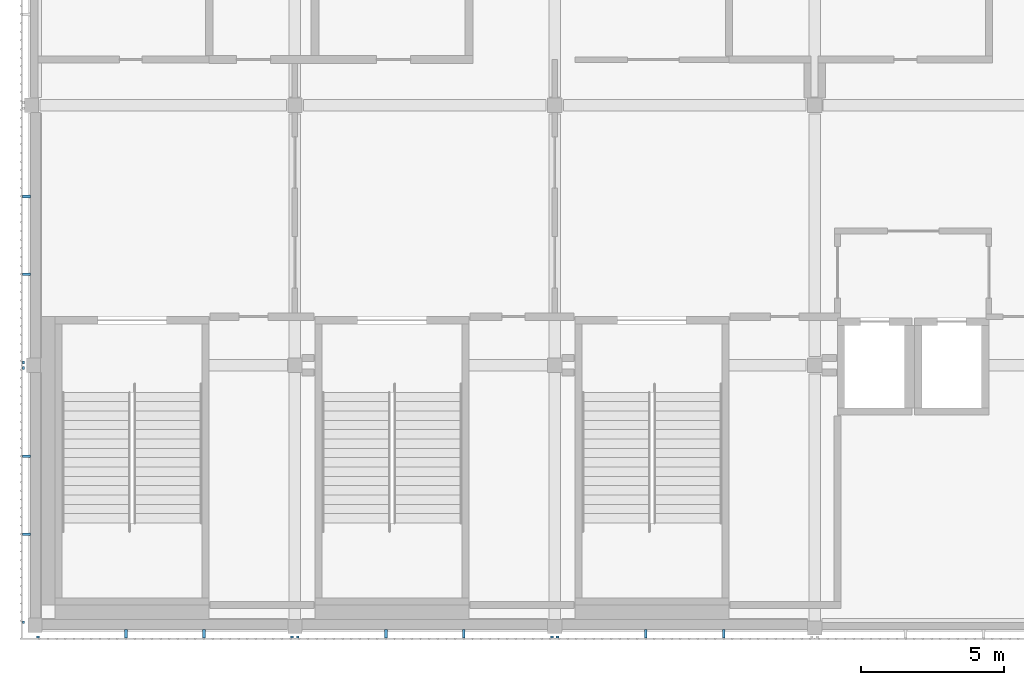
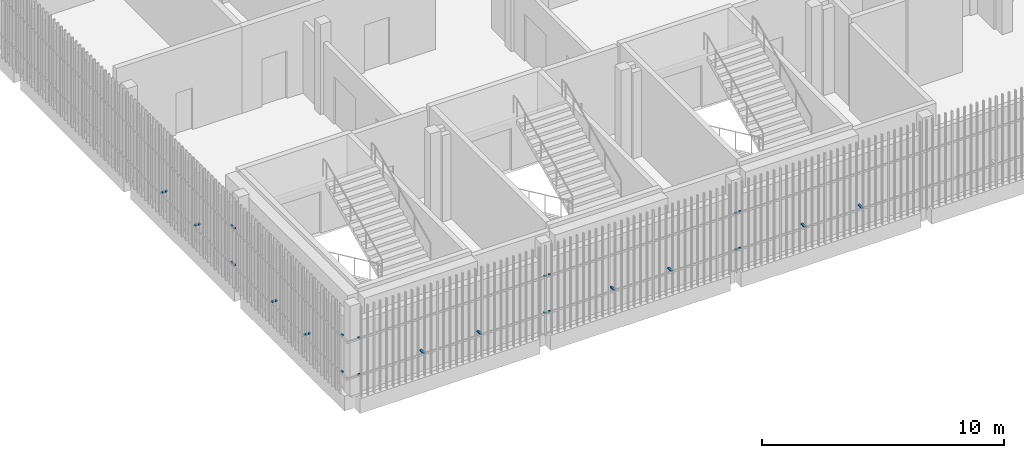
# One storey, part 60 of 91: 26 discrete accessories.
"""IFC4 building model written with IfcOpenShell, lengths in metres."""

from ifc_helpers import new_model, si_unit, direction, frame, origin, origin_2d, place, context, subcontext, project, spatial, rectangle, extrude, material, type_object, element, save


model = new_model("IFC4")

# Units and contexts
model_context = context("Model", 3, precision=1e-05, world=origin(), true_north=direction((0.0, 1.0)))
body_context = subcontext(model_context, "Body", "Model", "MODEL_VIEW")
ifc_project = project(units=[si_unit("LENGTHUNIT", "METRE"), si_unit("AREAUNIT", "SQUARE_METRE"), si_unit("VOLUMEUNIT", "CUBIC_METRE"), si_unit("PLANEANGLEUNIT", "RADIAN"), si_unit("MASSUNIT", "GRAM", prefix="KILO")], contexts=[model_context])

# Site, building, storey
site_placement = place(None, origin())
site = spatial("IfcSite", under=ifc_project, at=site_placement, CompositionType="ELEMENT")
building_placement = place(site_placement, origin())
building = spatial("IfcBuilding", under=site, at=building_placement, Name="Shirokan Park Arena", CompositionType="ELEMENT")
storey_placement = place(building_placement, frame((0.0, 0.0, 24.570068359375)))
storey = spatial("IfcBuildingStorey", under=building, at=storey_placement, Name="L05", CompositionType="ELEMENT", Elevation=24.570068359375)

# Discrete accessories
ifc_material = material(Name="Steel S355", Category="steel")
discrete_accessory_type = type_object("IfcDiscreteAccessoryType", Name="Veil bracket 100x60", PredefinedType="BRACKET", material=ifc_material)
for number, where, z_axis, x_axis, name in (
    (1, (0.10009765625, -0.409912109375, 1.06982421875), (0.0, 0.0, 1.0), (1.0, 0.0, 0.0), "Veil bracket south bay 1 L05 1"),
    (2, (9.0, -0.409912109375, 1.06982421875), (0.0, 0.0, 1.0), (1.0, 0.0, 0.0), "Veil bracket south bay 1 L05 2"),
    (3, (0.10009765625, -0.409912109375, 2.919921875), (0.0, 0.0, 1.0), (1.0, 0.0, 0.0), "Veil bracket south bay 1 L05 3"),
    (4, (9.0, -0.409912109375, 2.919921875), (0.0, 0.0, 1.0), (1.0, 0.0, 0.0), "Veil bracket south bay 1 L05 4"),
):
    element("IfcDiscreteAccessory", number, at=place(storey_placement, frame(where, z_axis=z_axis, x_axis=x_axis)), inside=storey, type_object=discrete_accessory_type, Name=name, PredefinedType="BRACKET", context=body_context, shape_type="SweptSolid", body=[
        extrude(rectangle(XDim=0.10009765625, YDim=0.070068359375, at=origin_2d()), origin(), (0.0, 0.0, 1.0), 0.06005859375),
    ])
for number, where, z_axis, x_axis, name in (
    (5, (3.18505859375, -0.297607421875, 1.06982421875), (0.0, 0.0, 1.0), (1.0, 0.0, 0.0), "Veil bracket south bay 1 L05 wall 1"),
    (6, (5.9150390625, -0.297607421875, 1.06982421875), (0.0, 0.0, 1.0), (1.0, 0.0, 0.0), "Veil bracket south bay 1 L05 wall 2"),
):
    element("IfcDiscreteAccessory", number, at=place(storey_placement, frame(where, z_axis=z_axis, x_axis=x_axis)), inside=storey, type_object=discrete_accessory_type, Name=name, PredefinedType="BRACKET", context=body_context, shape_type="SweptSolid", body=[
        extrude(rectangle(XDim=0.10009765625, YDim=0.294921875, at=origin_2d()), origin(), (0.0, 0.0, 1.0), 0.06005859375),
    ])
for number, where, z_axis, x_axis, name in (
    (7, (9.199951171875, -0.409912109375, 1.06982421875), (0.0, 0.0, 1.0), (1.0, 0.0, 0.0), "Veil bracket south bay 2 L05 1"),
    (8, (18.10009765625, -0.409912109375, 1.06982421875), (0.0, 0.0, 1.0), (1.0, 0.0, 0.0), "Veil bracket south bay 2 L05 2"),
    (9, (9.199951171875, -0.409912109375, 2.919921875), (0.0, 0.0, 1.0), (1.0, 0.0, 0.0), "Veil bracket south bay 2 L05 3"),
    (10, (18.10009765625, -0.409912109375, 2.919921875), (0.0, 0.0, 1.0), (1.0, 0.0, 0.0), "Veil bracket south bay 2 L05 4"),
):
    element("IfcDiscreteAccessory", number, at=place(storey_placement, frame(where, z_axis=z_axis, x_axis=x_axis)), inside=storey, type_object=discrete_accessory_type, Name=name, PredefinedType="BRACKET", context=body_context, shape_type="SweptSolid", body=[
        extrude(rectangle(XDim=0.10009765625, YDim=0.070068359375, at=origin_2d()), origin(), (0.0, 0.0, 1.0), 0.06005859375),
    ])
for number, where, z_axis, x_axis, name in (
    (11, (12.284912109375, -0.297607421875, 1.06982421875), (0.0, 0.0, 1.0), (1.0, 0.0, 0.0), "Veil bracket south bay 2 L05 wall 1"),
    (12, (15.014892578125, -0.297607421875, 1.06982421875), (0.0, 0.0, 1.0), (1.0, 0.0, 0.0), "Veil bracket south bay 2 L05 wall 2"),
):
    element("IfcDiscreteAccessory", number, at=place(storey_placement, frame(where, z_axis=z_axis, x_axis=x_axis)), inside=storey, type_object=discrete_accessory_type, Name=name, PredefinedType="BRACKET", context=body_context, shape_type="SweptSolid", body=[
        extrude(rectangle(XDim=0.10009765625, YDim=0.294921875, at=origin_2d()), origin(), (0.0, 0.0, 1.0), 0.06005859375),
    ])
for number, where, z_axis, x_axis, name in (
    (13, (18.300048828125, -0.409912109375, 1.06982421875), (0.0, 0.0, 1.0), (1.0, 0.0, 0.0), "Veil bracket south bay 3 L05 1"),
    (14, (18.300048828125, -0.409912109375, 2.919921875), (0.0, 0.0, 1.0), (1.0, 0.0, 0.0), "Veil bracket south bay 3 L05 3"),
):
    element("IfcDiscreteAccessory", number, at=place(storey_placement, frame(where, z_axis=z_axis, x_axis=x_axis)), inside=storey, type_object=discrete_accessory_type, Name=name, PredefinedType="BRACKET", context=body_context, shape_type="SweptSolid", body=[
        extrude(rectangle(XDim=0.10009765625, YDim=0.070068359375, at=origin_2d()), origin(), (0.0, 0.0, 1.0), 0.06005859375),
    ])
for number, where, z_axis, x_axis, name in (
    (15, (21.385009765625, -0.297607421875, 1.06982421875), (0.0, 0.0, 1.0), (1.0, 0.0, 0.0), "Veil bracket south bay 3 L05 wall 1"),
    (16, (24.114990234375, -0.297607421875, 1.06982421875), (0.0, 0.0, 1.0), (1.0, 0.0, 0.0), "Veil bracket south bay 3 L05 wall 2"),
):
    element("IfcDiscreteAccessory", number, at=place(storey_placement, frame(where, z_axis=z_axis, x_axis=x_axis)), inside=storey, type_object=discrete_accessory_type, Name=name, PredefinedType="BRACKET", context=body_context, shape_type="SweptSolid", body=[
        extrude(rectangle(XDim=0.10009765625, YDim=0.294921875, at=origin_2d()), origin(), (0.0, 0.0, 1.0), 0.06005859375),
    ])
for number, where, z_axis, x_axis, name in (
    (17, (-0.409912109375, 9.199951171875, 1.06982421875), (0.0, 0.0, 1.0), (0.0, -1.0, 0.0), "Veil bracket west bay 11 L05 2"),
    (18, (-0.409912109375, 9.199951171875, 2.919921875), (0.0, 0.0, 1.0), (0.0, -1.0, 0.0), "Veil bracket west bay 11 L05 4"),
):
    element("IfcDiscreteAccessory", number, at=place(storey_placement, frame(where, z_axis=z_axis, x_axis=x_axis)), inside=storey, type_object=discrete_accessory_type, Name=name, PredefinedType="BRACKET", context=body_context, shape_type="SweptSolid", body=[
        extrude(rectangle(XDim=0.10009765625, YDim=0.070068359375, at=origin_2d()), origin(), (0.0, 0.0, 1.0), 0.06005859375),
    ])
for number, where, z_axis, x_axis, name in (
    (19, (-0.297607421875, 15.014892578125, 1.06982421875), (0.0, 0.0, 1.0), (0.0, -1.0, 0.0), "Veil bracket west bay 11 L05 wall 1"),
    (20, (-0.297607421875, 12.284912109375, 1.06982421875), (0.0, 0.0, 1.0), (0.0, -1.0, 0.0), "Veil bracket west bay 11 L05 wall 2"),
):
    element("IfcDiscreteAccessory", number, at=place(storey_placement, frame(where, z_axis=z_axis, x_axis=x_axis)), inside=storey, type_object=discrete_accessory_type, Name=name, PredefinedType="BRACKET", context=body_context, shape_type="SweptSolid", body=[
        extrude(rectangle(XDim=0.10009765625, YDim=0.294921875, at=origin_2d()), origin(), (0.0, 0.0, 1.0), 0.06005859375),
    ])
for number, where, z_axis, x_axis, name in (
    (21, (-0.409912109375, 9.0, 1.06982421875), (0.0, 0.0, 1.0), (0.0, -1.0, 0.0), "Veil bracket west bay 12 L05 1"),
    (22, (-0.409912109375, 0.10009765625, 1.06982421875), (0.0, 0.0, 1.0), (0.0, -1.0, 0.0), "Veil bracket west bay 12 L05 2"),
    (23, (-0.409912109375, 9.0, 2.919921875), (0.0, 0.0, 1.0), (0.0, -1.0, 0.0), "Veil bracket west bay 12 L05 3"),
    (24, (-0.409912109375, 0.10009765625, 2.919921875), (0.0, 0.0, 1.0), (0.0, -1.0, 0.0), "Veil bracket west bay 12 L05 4"),
):
    element("IfcDiscreteAccessory", number, at=place(storey_placement, frame(where, z_axis=z_axis, x_axis=x_axis)), inside=storey, type_object=discrete_accessory_type, Name=name, PredefinedType="BRACKET", context=body_context, shape_type="SweptSolid", body=[
        extrude(rectangle(XDim=0.10009765625, YDim=0.070068359375, at=origin_2d()), origin(), (0.0, 0.0, 1.0), 0.06005859375),
    ])
for number, where, z_axis, x_axis, name in (
    (25, (-0.297607421875, 5.9150390625, 1.06982421875), (0.0, 0.0, 1.0), (0.0, -1.0, 0.0), "Veil bracket west bay 12 L05 wall 1"),
    (26, (-0.297607421875, 3.18505859375, 1.06982421875), (0.0, 0.0, 1.0), (0.0, -1.0, 0.0), "Veil bracket west bay 12 L05 wall 2"),
):
    element("IfcDiscreteAccessory", number, at=place(storey_placement, frame(where, z_axis=z_axis, x_axis=x_axis)), inside=storey, type_object=discrete_accessory_type, Name=name, PredefinedType="BRACKET", context=body_context, shape_type="SweptSolid", body=[
        extrude(rectangle(XDim=0.10009765625, YDim=0.294921875, at=origin_2d()), origin(), (0.0, 0.0, 1.0), 0.06005859375),
    ])

save(model, "model.ifc")
